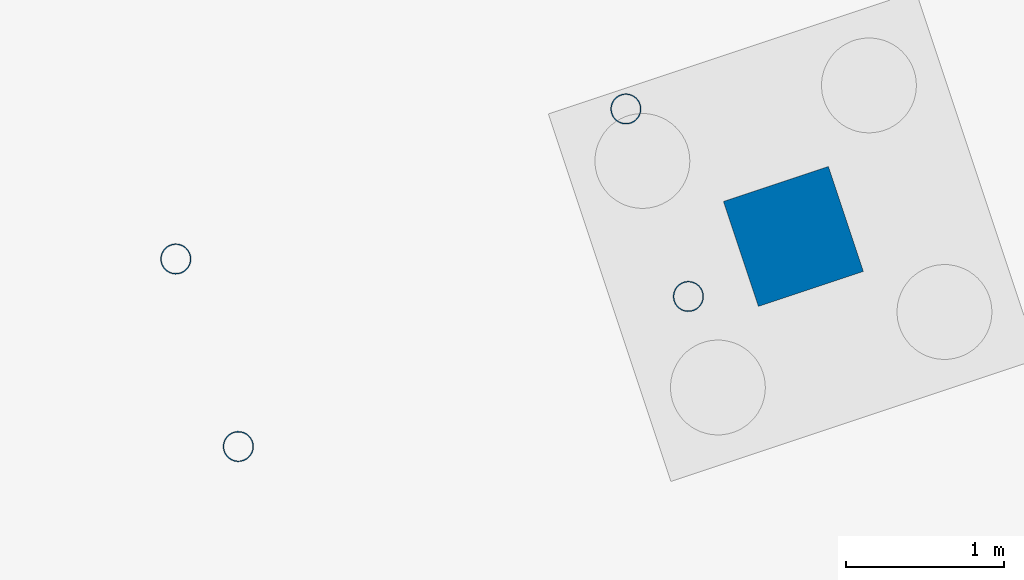
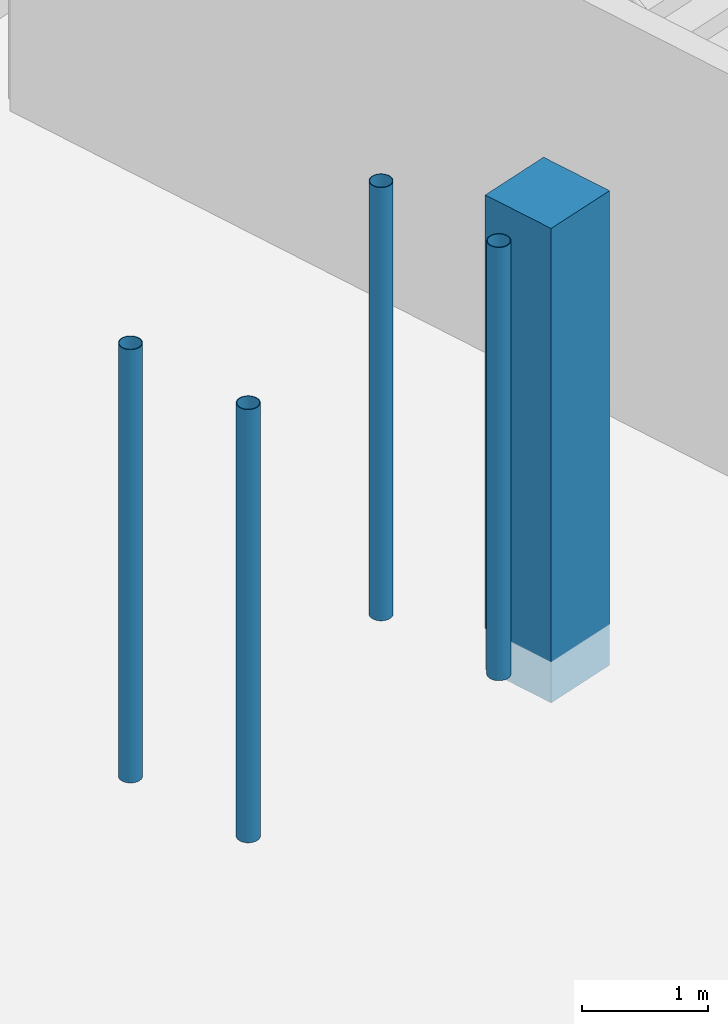
# One storey, part 12 of 36: 5 columns.
"""IFC4 building model written with IfcOpenShell, lengths in metres."""

from ifc_helpers import new_model, si_unit, derived_unit, direction, frame, origin, origin_2d, place, context, subcontext, project, spatial, rectangle, hollow_circle, extrude, material, material_profile, profile_set, type_object, element, save


model = new_model("IFC4")

# Units and contexts
model_context = context("Model", 3, precision=1e-05, world=origin(), true_north=direction((0.0, 1.0)))
body_context = subcontext(model_context, "Body", "Model", "MODEL_VIEW")
ifc_project = project(units=[si_unit("LENGTHUNIT", "METRE"), si_unit("AREAUNIT", "SQUARE_METRE"), si_unit("VOLUMEUNIT", "CUBIC_METRE"), si_unit("PLANEANGLEUNIT", "RADIAN"), si_unit("MASSUNIT", "GRAM", prefix="KILO"), si_unit("THERMODYNAMICTEMPERATUREUNIT", "KELVIN"), si_unit("TIMEUNIT", "SECOND"), derived_unit("THERMALTRANSMITTANCEUNIT", [(si_unit("MASSUNIT", "GRAM", prefix="KILO"), 1), (si_unit("THERMODYNAMICTEMPERATUREUNIT", "KELVIN"), -1), (si_unit("TIMEUNIT", "SECOND"), -3)])], contexts=[model_context])

# Site, building, storey
site_placement = place(None, origin())
site = spatial("IfcSite", under=ifc_project, at=site_placement, CompositionType="ELEMENT")
building_placement = place(site_placement, origin())
building = spatial("IfcBuilding", under=site, at=building_placement, Name="Cambertide Market Hall", CompositionType="ELEMENT")
storey_placement = place(building_placement, frame((0.0, 0.0, -4.199951171875)))
storey = spatial("IfcBuildingStorey", under=building, at=storey_placement, Name="B1", CompositionType="ELEMENT", Elevation=-4.199951171875)

# Columns
ifc_material_1 = material(Name="Concrete B35", Category="concrete")
ifc_material_profile_1 = material_profile(ifc_material_1, rectangle(XDim=0.699951171875, YDim=0.699951171875, at=origin_2d()), Name="RC 700x700")
ifc_profile_set_1 = profile_set([ifc_material_profile_1], Name="Concrete B35")
column_type_1 = type_object("IfcColumnType", Name="Concrete Column RC 700x700", PredefinedType="COLUMN", material=ifc_profile_set_1)
column_placement = place(storey_placement, frame((134.46044921875, 40.46044921875, -0.400146484375), z_axis=(0.0, 0.0, 1.0), x_axis=(0.94868329805, 0.316227766018, 0.0)))
element("IfcColumn", 1, at=column_placement, inside=storey, type_object=column_type_1, Name="Basement 1 Column COL-V3-5-3-B1", PredefinedType="COLUMN", context=body_context, shape_type="SweptSolid", body=[
    extrude(rectangle(XDim=0.699951171875, YDim=0.699951171875, at=origin_2d()), origin(), (0.0, 0.0, 1.0), 4.60009765625),
])
ifc_material_2 = material(Name="Steel S355", Category="steel")
ifc_material_profile_2 = material_profile(ifc_material_2, hollow_circle(Radius=0.096923828125, WallThickness=0.00634765625, at=origin_2d()), Name="CHS 193.7x6.3")
ifc_profile_set_2 = profile_set([ifc_material_profile_2], Name="Steel S355")
column_type_2 = type_object("IfcColumnType", Name="Steel Column CHS 193.7x6.3", PredefinedType="COLUMN", material=ifc_profile_set_2)
for number, where, z_axis, x_axis, name in (
    (2, (130.55517578125, 40.318115234375, 0.0), (0.0, 0.0, 1.0), (1.0, 0.0, 0.0), "Basement 1 Column COL-MPST-ST12-1-B1"),
    (3, (133.401123046875, 41.266845703125, 0.0), (0.0, 0.0, 1.0), (1.0, 0.0, 0.0), "Basement 1 Column COL-MPST-ST12-2-B1"),
    (4, (130.950439453125, 39.13232421875, 0.0), (0.0, 0.0, 1.0), (1.0, 0.0, 0.0), "Basement 1 Column COL-MPST-ST12-3-B1"),
    (5, (133.79638671875, 40.0810546875, 0.0), (0.0, 0.0, 1.0), (1.0, 0.0, 0.0), "Basement 1 Column COL-MPST-ST12-4-B1"),
):
    element("IfcColumn", number, at=place(storey_placement, frame(where, z_axis=z_axis, x_axis=x_axis)), inside=storey, type_object=column_type_2, Name=name, PredefinedType="COLUMN", context=body_context, shape_type="SweptSolid", body=[
        extrude(hollow_circle(Radius=0.096923828125, WallThickness=0.00634765625, at=origin_2d()), origin(), (0.0, 0.0, 1.0), 4.199951171875),
    ])

save(model, "model.ifc")
